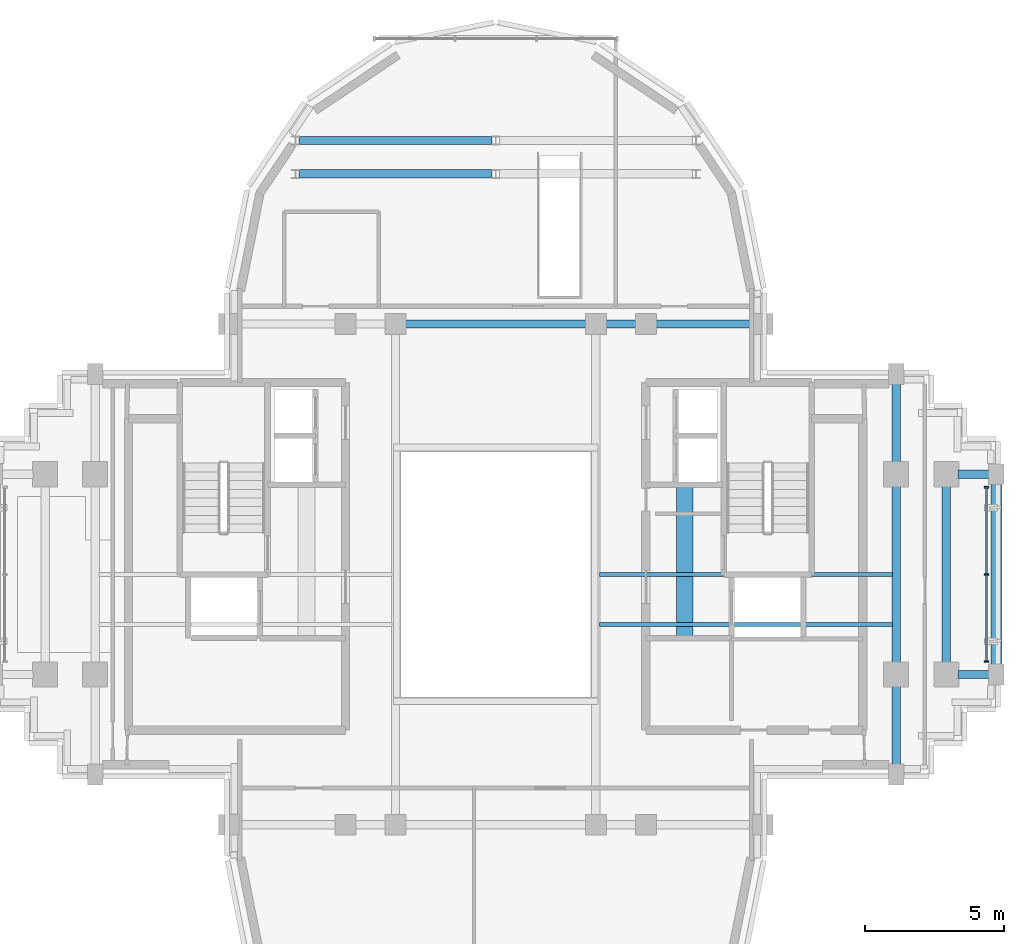
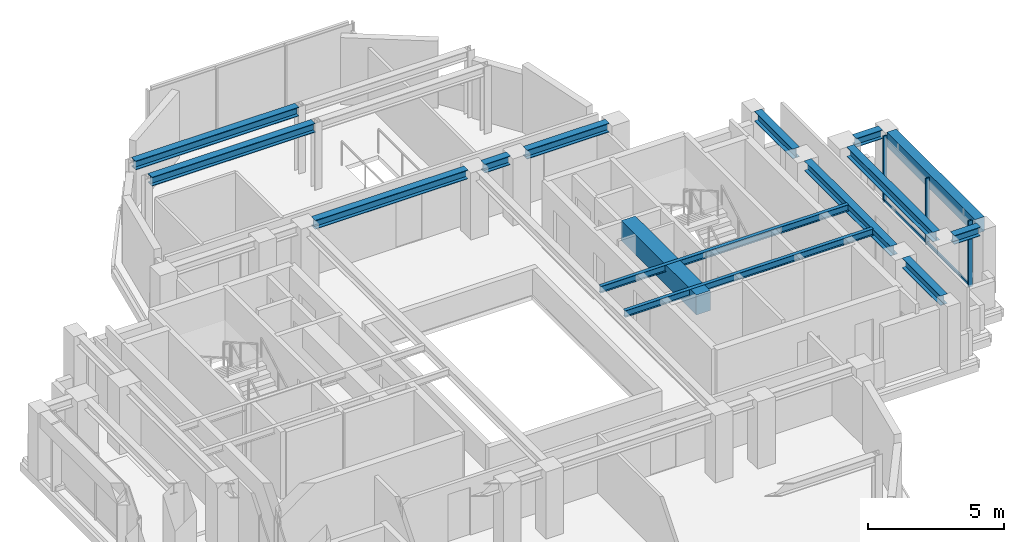
# One storey, part 5 of 12: 15 beams, 5 members, 1 element without a shape of its own.
"""IFC4 building model written with IfcOpenShell, lengths in metres."""

from ifc_helpers import new_model, si_unit, direction, frame, origin, origin_2d, place, context, subcontext, project, spatial, rectangle, i_section, extrude, source, transform, mapped, material, material_profile, profile_set, type_object, element, aggregate, save


model = new_model("IFC4")

# Units and contexts
model_context = context("Model", 3, precision=1e-05, world=origin(), true_north=direction((0.0, 1.0)))
body_context = subcontext(model_context, "Body", "Model", "MODEL_VIEW")
ifc_project = project(units=[si_unit("LENGTHUNIT", "METRE"), si_unit("AREAUNIT", "SQUARE_METRE"), si_unit("VOLUMEUNIT", "CUBIC_METRE"), si_unit("PLANEANGLEUNIT", "RADIAN"), si_unit("MASSUNIT", "GRAM", prefix="KILO")], contexts=[model_context])

# Site, building, storey
site_placement = place(None, origin())
site = spatial("IfcSite", under=ifc_project, at=site_placement, CompositionType="ELEMENT")
building_placement = place(site_placement, origin())
building = spatial("IfcBuilding", under=site, at=building_placement, Name="Keilestroom Media Tower", CompositionType="ELEMENT")
storey_placement = place(building_placement, frame((0.0, 0.0, 233.199951171875)))
storey = spatial("IfcBuildingStorey", under=building, at=storey_placement, Name="L64", CompositionType="ELEMENT", Elevation=233.199951171875)

# Beams
ifc_material_1 = material(Name="Concrete C70/85", Category="concrete")
ifc_material_profile_1 = material_profile(ifc_material_1, rectangle(XDim=0.60009765625, YDim=0.89990234375, at=origin_2d()), Name="RC 600x900")
ifc_profile_set_1 = profile_set([ifc_material_profile_1], Name="Concrete C70/85")
beam_type_1 = type_object("IfcBeamType", Name="Core-Coupling-Lintel-Beam-RC-600x900", PredefinedType="LINTEL", material=ifc_profile_set_1)
shared_shape_1 = source(origin(), body_context, "Body", "SweptSolid", [
    extrude(rectangle(XDim=0.60009765625, YDim=0.89990234375, at=origin_2d()), origin(), (0.0, 0.0, 1.0), 5.52001953125),
])
beam_1_placement = place(storey_placement, frame((6.800048828125, -2.300048828125, 2.56005859375), z_axis=(0.0, 1.0, 0.0), x_axis=(-1.0, 0.0, 0.0)))
element("IfcBeam", 1, at=beam_1_placement, inside=storey, type_object=beam_type_1, Name="L64 Beam CLB-1 CLB-L64-E", PredefinedType="LINTEL", context=body_context, shape_type="MappedRepresentation", body=[
    mapped(shared_shape_1, transform((0.0, 0.0, 0.0), x_axis=(1.0, 0.0, 0.0), y_axis=(0.0, 1.0, 0.0), z_axis=(0.0, 0.0, 1.0), scale=1.0)),
])
ifc_material_2 = material(Name="Steel S355", Category="steel")
ifc_material_profile_2 = material_profile(ifc_material_2, i_section(OverallWidth=0.300048828125, OverallDepth=0.39990234375, WebThickness=0.011474609375, FlangeThickness=0.02392578125, at=origin_2d()), Name="HEB 400")
ifc_profile_set_2 = profile_set([ifc_material_profile_2], Name="Steel S355")
beam_type_2 = type_object("IfcBeamType", Name="Primary-Structural-Girder-HEB-400", PredefinedType="BEAM", material=ifc_profile_set_2)
shared_shape_2 = source(origin(), body_context, "Body", "SweptSolid", [
    extrude(i_section(OverallWidth=0.300048828125, OverallDepth=0.39990234375, WebThickness=0.011474609375, FlangeThickness=0.02392578125, at=origin_2d()), origin(), (0.0, 0.0, 1.0), 6.940185546875),
])
for number, where, z_axis, x_axis, name in (
    (2, (-7.070068359375, 14.39990234375, 2.81005859375), (1.0, 0.0, 0.0), (0.0, 1.0, 0.0), "L64 Beam BG-8 BM-L64-EW-021"),
    (3, (-7.070068359375, 15.60009765625, 2.81005859375), (1.0, 0.0, 0.0), (0.0, 1.0, 0.0), "L64 Beam BG-8 BM-L64-EW-023"),
):
    element("IfcBeam", number, at=place(storey_placement, frame(where, z_axis=z_axis, x_axis=x_axis)), inside=storey, type_object=beam_type_2, Name=name, PredefinedType="BEAM", context=body_context, shape_type="MappedRepresentation", body=[
        mapped(shared_shape_2, transform((0.0, 0.0, 0.0), x_axis=(1.0, 0.0, 0.0), y_axis=(0.0, 1.0, 0.0), z_axis=(0.0, 0.0, 1.0), scale=1.0)),
    ])
shared_shape_3 = source(origin(), body_context, "Body", "SweptSolid", [
    extrude(i_section(OverallWidth=0.300048828125, OverallDepth=0.39990234375, WebThickness=0.011474609375, FlangeThickness=0.02392578125, at=origin_2d()), origin(), (0.0, 0.0, 1.0), 3.490234375),
])
beam_2_placement = place(storey_placement, frame((5.7548828125, 9.0, 2.81005859375), z_axis=(1.0, 0.0, 0.0), x_axis=(0.0, 1.0, 0.0)))
element("IfcBeam", 4, at=beam_2_placement, inside=storey, type_object=beam_type_2, Name="L64 Beam BG-8 BM-L64-EW-020", PredefinedType="BEAM", context=body_context, shape_type="MappedRepresentation", body=[
    mapped(shared_shape_3, transform((0.0, 0.0, 0.0), x_axis=(1.0, 0.0, 0.0), y_axis=(0.0, 1.0, 0.0), z_axis=(0.0, 0.0, 1.0), scale=1.0)),
])
shared_shape_4 = source(origin(), body_context, "Body", "SweptSolid", [
    extrude(i_section(OverallWidth=0.300048828125, OverallDepth=0.39990234375, WebThickness=0.011474609375, FlangeThickness=0.02392578125, at=origin_2d()), origin(), (0.0, 0.0, 1.0), 1.08984375),
])
beam_3_placement = place(storey_placement, frame((3.955078125, 9.0, 2.81005859375), z_axis=(1.0, 0.0, 0.0), x_axis=(0.0, 1.0, 0.0)))
element("IfcBeam", 5, at=beam_3_placement, inside=storey, type_object=beam_type_2, Name="L64 Beam BG-8 BM-L64-EW-019", PredefinedType="BEAM", context=body_context, shape_type="MappedRepresentation", body=[
    mapped(shared_shape_4, transform((0.0, 0.0, 0.0), x_axis=(1.0, 0.0, 0.0), y_axis=(0.0, 1.0, 0.0), z_axis=(0.0, 0.0, 1.0), scale=1.0)),
])
shared_shape_5 = source(origin(), body_context, "Body", "SweptSolid", [
    extrude(i_section(OverallWidth=0.300048828125, OverallDepth=0.39990234375, WebThickness=0.011474609375, FlangeThickness=0.02392578125, at=origin_2d()), origin(), (0.0, 0.0, 1.0), 6.490234375),
])
beam_4_placement = place(storey_placement, frame((-3.2451171875, 9.0, 2.81005859375), z_axis=(1.0, 0.0, 0.0), x_axis=(0.0, 1.0, 0.0)))
element("IfcBeam", 6, at=beam_4_placement, inside=storey, type_object=beam_type_2, Name="L64 Beam BG-8 BM-L64-EW-018", PredefinedType="BEAM", context=body_context, shape_type="MappedRepresentation", body=[
    mapped(shared_shape_5, transform((0.0, 0.0, 0.0), x_axis=(1.0, 0.0, 0.0), y_axis=(0.0, 1.0, 0.0), z_axis=(0.0, 0.0, 1.0), scale=1.0)),
])
shared_shape_6 = source(origin(), body_context, "Body", "SweptSolid", [
    extrude(i_section(OverallWidth=0.300048828125, OverallDepth=0.39990234375, WebThickness=0.011474609375, FlangeThickness=0.02392578125, at=origin_2d()), origin(), (0.0, 0.0, 1.0), 1.115234375),
])
for number, where, z_axis, x_axis, name in (
    (7, (16.6298828125, -3.60009765625, 2.81005859375), (1.0, 0.0, 0.0), (0.0, 1.0, 0.0), "L64 Beam BG-8 BM-L64-EW-011"),
    (8, (16.6298828125, 3.60009765625, 2.81005859375), (1.0, 0.0, 0.0), (0.0, 1.0, 0.0), "L64 Beam BG-8 BM-L64-EW-015"),
):
    element("IfcBeam", number, at=place(storey_placement, frame(where, z_axis=z_axis, x_axis=x_axis)), inside=storey, type_object=beam_type_2, Name=name, PredefinedType="BEAM", context=body_context, shape_type="MappedRepresentation", body=[
        mapped(shared_shape_6, transform((0.0, 0.0, 0.0), x_axis=(1.0, 0.0, 0.0), y_axis=(0.0, 1.0, 0.0), z_axis=(0.0, 0.0, 1.0), scale=1.0)),
    ])
ifc_material_3 = material(Name="Precast concrete C40/50", Category="concrete")
ifc_material_profile_3 = material_profile(ifc_material_3, rectangle(XDim=0.39990234375, YDim=0.64990234375, at=origin_2d()), Name="PC 400x650")
ifc_profile_set_3 = profile_set([ifc_material_profile_3], Name="Precast concrete C40/50")
beam_type_3 = type_object("IfcBeamType", Name="Perimeter-Spandrel-Beam-PC-400x650", PredefinedType="SPANDREL", material=ifc_profile_set_3)
shared_shape_7 = source(origin(), body_context, "Body", "SweptSolid", [
    extrude(rectangle(XDim=0.39990234375, YDim=0.64990234375, at=origin_2d()), origin(), (0.0, 0.0, 1.0), 6.490234375),
])
beam_5_placement = place(storey_placement, frame((18.0, -3.2451171875, 2.68505859375), z_axis=(0.0, 1.0, 0.0), x_axis=(-1.0, 0.0, 0.0)))
element("IfcBeam", 9, at=beam_5_placement, inside=storey, type_object=beam_type_3, Name="L64 Beam SPB-2 BM-L64-NS-044", PredefinedType="SPANDREL", context=body_context, shape_type="MappedRepresentation", body=[
    mapped(shared_shape_7, transform((0.0, 0.0, 0.0), x_axis=(1.0, 0.0, 0.0), y_axis=(0.0, 1.0, 0.0), z_axis=(0.0, 0.0, 1.0), scale=1.0)),
])
ifc_material_profile_4 = material_profile(ifc_material_2, i_section(OverallWidth=0.300048828125, OverallDepth=0.43994140625, WebThickness=0.011474609375, FlangeThickness=0.02099609375, at=origin_2d()), Name="HEA 450")
ifc_profile_set_4 = profile_set([ifc_material_profile_4], Name="Steel S355")
beam_type_4 = type_object("IfcBeamType", Name="Primary-Structural-Girder-HEA-450", PredefinedType="BEAM", material=ifc_profile_set_4)
shared_shape_8 = source(origin(), body_context, "Body", "SweptSolid", [
    extrude(i_section(OverallWidth=0.300048828125, OverallDepth=0.43994140625, WebThickness=0.011474609375, FlangeThickness=0.02099609375, at=origin_2d()), origin(), (0.0, 0.0, 1.0), 6.33984375),
])
for number, where, z_axis, x_axis, name in (
    (10, (14.39990234375, -3.169921875, 2.7900390625), (0.0, 1.0, 0.0), (-1.0, 0.0, 0.0), "L64 Beam BG-11 BM-L64-NS-041"),
    (11, (16.199951171875, -3.169921875, 2.7900390625), (0.0, 1.0, 0.0), (-1.0, 0.0, 0.0), "L64 Beam BG-11 BM-L64-NS-043"),
):
    element("IfcBeam", number, at=place(storey_placement, frame(where, z_axis=z_axis, x_axis=x_axis)), inside=storey, type_object=beam_type_4, Name=name, PredefinedType="BEAM", context=body_context, shape_type="MappedRepresentation", body=[
        mapped(shared_shape_8, transform((0.0, 0.0, 0.0), x_axis=(1.0, 0.0, 0.0), y_axis=(0.0, 1.0, 0.0), z_axis=(0.0, 0.0, 1.0), scale=1.0)),
    ])
shared_shape_9 = source(origin(), body_context, "Body", "SweptSolid", [
    extrude(i_section(OverallWidth=0.300048828125, OverallDepth=0.43994140625, WebThickness=0.011474609375, FlangeThickness=0.02099609375, at=origin_2d()), origin(), (0.0, 0.0, 1.0), 2.81494140625),
])
for number, where, z_axis, x_axis, name in (
    (12, (14.39990234375, -6.844970703125, 2.7900390625), (0.0, 1.0, 0.0), (-1.0, 0.0, 0.0), "L64 Beam BG-11 BM-L64-NS-040"),
    (13, (14.39990234375, 4.030029296875, 2.7900390625), (0.0, 1.0, 0.0), (-1.0, 0.0, 0.0), "L64 Beam BG-11 BM-L64-NS-042"),
):
    element("IfcBeam", number, at=place(storey_placement, frame(where, z_axis=z_axis, x_axis=x_axis)), inside=storey, type_object=beam_type_4, Name=name, PredefinedType="BEAM", context=body_context, shape_type="MappedRepresentation", body=[
        mapped(shared_shape_9, transform((0.0, 0.0, 0.0), x_axis=(1.0, 0.0, 0.0), y_axis=(0.0, 1.0, 0.0), z_axis=(0.0, 0.0, 1.0), scale=1.0)),
    ])
ifc_material_profile_5 = material_profile(ifc_material_2, i_section(OverallWidth=0.14990234375, OverallDepth=0.300048828125, WebThickness=0.007080078125, FlangeThickness=0.0107421875, at=origin_2d()), Name="IPE 300")
ifc_profile_set_5 = profile_set([ifc_material_profile_5], Name="Steel S355")
beam_type_5 = type_object("IfcBeamType", Name="Secondary-Floor-Joist-IPE-300", PredefinedType="JOIST", material=ifc_profile_set_5)
shared_shape_10 = source(origin(), body_context, "Body", "SweptSolid", [
    extrude(i_section(OverallWidth=0.14990234375, OverallDepth=0.300048828125, WebThickness=0.007080078125, FlangeThickness=0.0107421875, at=origin_2d()), origin(), (0.0, 0.0, 1.0), 10.5400390625),
])
for number, where, z_axis, x_axis, name in (
    (14, (3.72998046875, -1.800048828125, 2.860107421875), (1.0, 0.0, 0.0), (0.0, 1.0, 0.0), "L64 Beam BJ-7 JST-L64-047"),
    (15, (3.72998046875, 0.0, 2.860107421875), (1.0, 0.0, 0.0), (0.0, 1.0, 0.0), "L64 Beam BJ-7 JST-L64-050"),
):
    element("IfcBeam", number, at=place(storey_placement, frame(where, z_axis=z_axis, x_axis=x_axis)), inside=storey, type_object=beam_type_5, Name=name, PredefinedType="JOIST", context=body_context, shape_type="MappedRepresentation", body=[
        mapped(shared_shape_10, transform((0.0, 0.0, 0.0), x_axis=(1.0, 0.0, 0.0), y_axis=(0.0, 1.0, 0.0), z_axis=(0.0, 0.0, 1.0), scale=1.0)),
    ])

# Curtain wall, members
ifc_material_4 = material(Name="Anodised Aluminium Alloy", Category="aluminium")
curtain_wall_type = type_object("IfcCurtainWallType", Name="Unitised-Curtain-Wall-CW-4", PredefinedType="NOTDEFINED", material=ifc_material_4)
curtain_wall_placement = place(storey_placement, origin())
curtain_wall = element("IfcCurtainWall", 16, at=curtain_wall_placement, inside=storey, type_object=curtain_wall_type, Name="L64 Curtain Wall CW-4 CW-L64-E-1", PredefinedType="NOTDEFINED")
ifc_material_profile_6 = material_profile(ifc_material_4, rectangle(XDim=0.06005859375, YDim=0.159912109375, at=origin_2d()), Name="ALU MULLION 60x160")
ifc_profile_set_6 = profile_set([ifc_material_profile_6], Name="Anodised Aluminium Alloy")
member_type_1 = type_object("IfcMemberType", Name="Curtain-Wall-Mullion-CW-4", PredefinedType="MULLION", material=ifc_profile_set_6)
shared_shape_11 = source(origin(), body_context, "Body", "SweptSolid", [
    extrude(rectangle(XDim=0.06005859375, YDim=0.159912109375, at=origin_2d()), origin(), (0.0, 0.0, 1.0), 2.97998046875),
])
member_1_placement = place(storey_placement, frame((17.64990234375, -3.135009765625, 0.0), z_axis=(0.0, 0.0, 1.0), x_axis=(0.0, 1.0, 0.0)))
member_1 = element("IfcMember", 17, at=member_1_placement, type_object=member_type_1, Name="CW-4 Mullion 00", PredefinedType="MULLION", context=body_context, shape_type="MappedRepresentation", body=[
    mapped(shared_shape_11, transform((0.0, 0.0, 0.0), x_axis=(1.0, 0.0, 0.0), y_axis=(0.0, 1.0, 0.0), z_axis=(0.0, 0.0, 1.0), scale=1.0)),
])
member_2_placement = place(storey_placement, frame((17.64990234375, 0.0, 0.0), z_axis=(0.0, 0.0, 1.0), x_axis=(0.0, 1.0, 0.0)))
member_2 = element("IfcMember", 18, at=member_2_placement, type_object=member_type_1, Name="CW-4 Mullion 01", PredefinedType="MULLION", context=body_context, shape_type="MappedRepresentation", body=[
    mapped(shared_shape_11, transform((0.0, 0.0, 0.0), x_axis=(1.0, 0.0, 0.0), y_axis=(0.0, 1.0, 0.0), z_axis=(0.0, 0.0, 1.0), scale=1.0)),
])
member_3_placement = place(storey_placement, frame((17.64990234375, 3.135009765625, 0.0), z_axis=(0.0, 0.0, 1.0), x_axis=(0.0, 1.0, 0.0)))
member_3 = element("IfcMember", 19, at=member_3_placement, type_object=member_type_1, Name="CW-4 Mullion 02", PredefinedType="MULLION", context=body_context, shape_type="MappedRepresentation", body=[
    mapped(shared_shape_11, transform((0.0, 0.0, 0.0), x_axis=(1.0, 0.0, 0.0), y_axis=(0.0, 1.0, 0.0), z_axis=(0.0, 0.0, 1.0), scale=1.0)),
])
ifc_material_profile_7 = material_profile(ifc_material_4, rectangle(XDim=0.06005859375, YDim=0.1298828125, at=origin_2d()), Name="ALU TRANSOM 60x130")
ifc_profile_set_7 = profile_set([ifc_material_profile_7], Name="Anodised Aluminium Alloy")
member_type_2 = type_object("IfcMemberType", Name="Curtain-Wall-Transom-CW-4", PredefinedType="USERDEFINED", material=ifc_profile_set_7)
shared_shape_12 = source(origin(), body_context, "Body", "SweptSolid", [
    extrude(rectangle(XDim=0.06005859375, YDim=0.1298828125, at=origin_2d()), origin(), (0.0, 0.0, 1.0), 3.078857421875),
])
member_4_placement = place(storey_placement, frame((17.64990234375, -3.10693359375, 0.06494140625), z_axis=(0.0, 1.0, 0.0), x_axis=(-1.0, 0.0, 0.0)))
member_4 = element("IfcMember", 20, at=member_4_placement, type_object=member_type_2, Name="CW-4 Transom 00.1", ObjectType="TRANSOM", PredefinedType="USERDEFINED", context=body_context, shape_type="MappedRepresentation", body=[
    mapped(shared_shape_12, transform((0.0, 0.0, 0.0), x_axis=(1.0, 0.0, 0.0), y_axis=(0.0, 1.0, 0.0), z_axis=(0.0, 0.0, 1.0), scale=1.0)),
])
member_5_placement = place(storey_placement, frame((17.64990234375, 0.028076171875, 0.06494140625), z_axis=(0.0, 1.0, 0.0), x_axis=(-1.0, 0.0, 0.0)))
member_5 = element("IfcMember", 21, at=member_5_placement, type_object=member_type_2, Name="CW-4 Transom 01.1", ObjectType="TRANSOM", PredefinedType="USERDEFINED", context=body_context, shape_type="MappedRepresentation", body=[
    mapped(shared_shape_12, transform((0.0, 0.0, 0.0), x_axis=(1.0, 0.0, 0.0), y_axis=(0.0, 1.0, 0.0), z_axis=(0.0, 0.0, 1.0), scale=1.0)),
])
aggregate(curtain_wall, [member_1, member_2, member_3, member_4, member_5])

save(model, "model.ifc")
